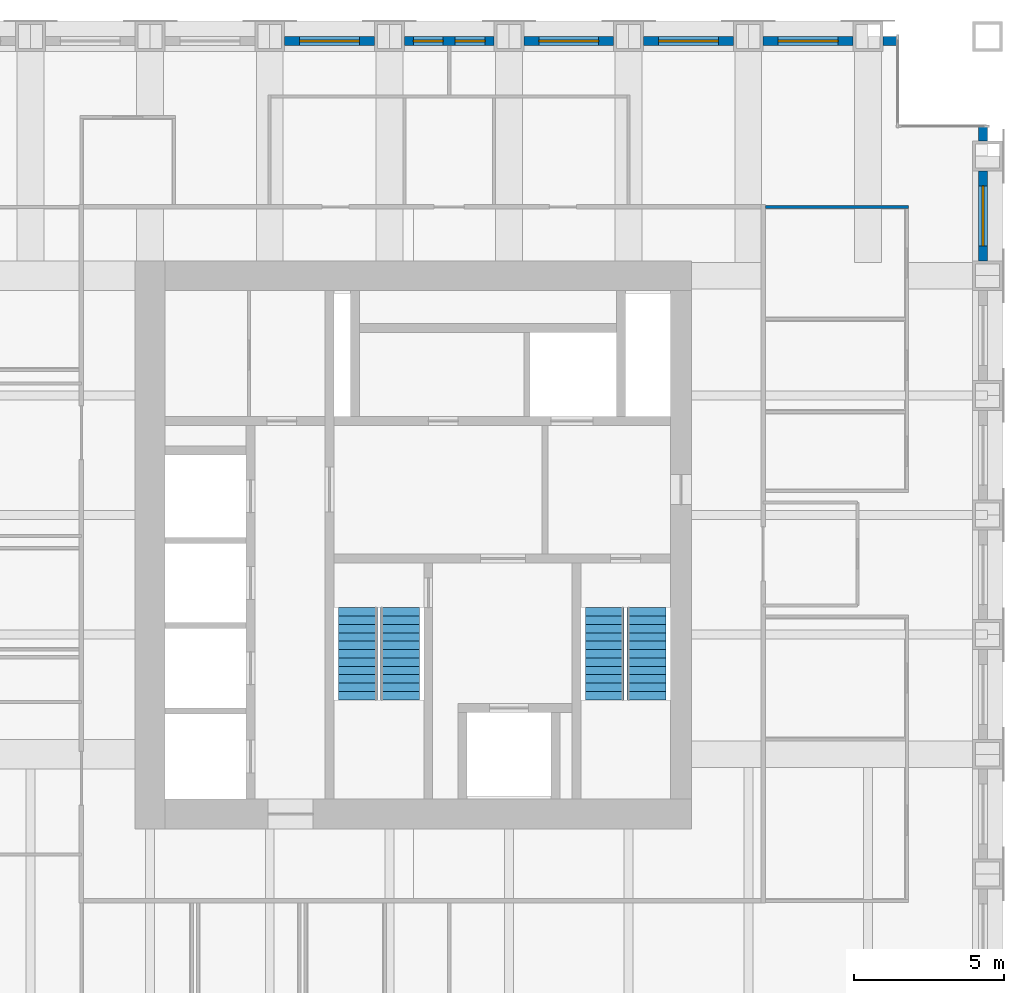
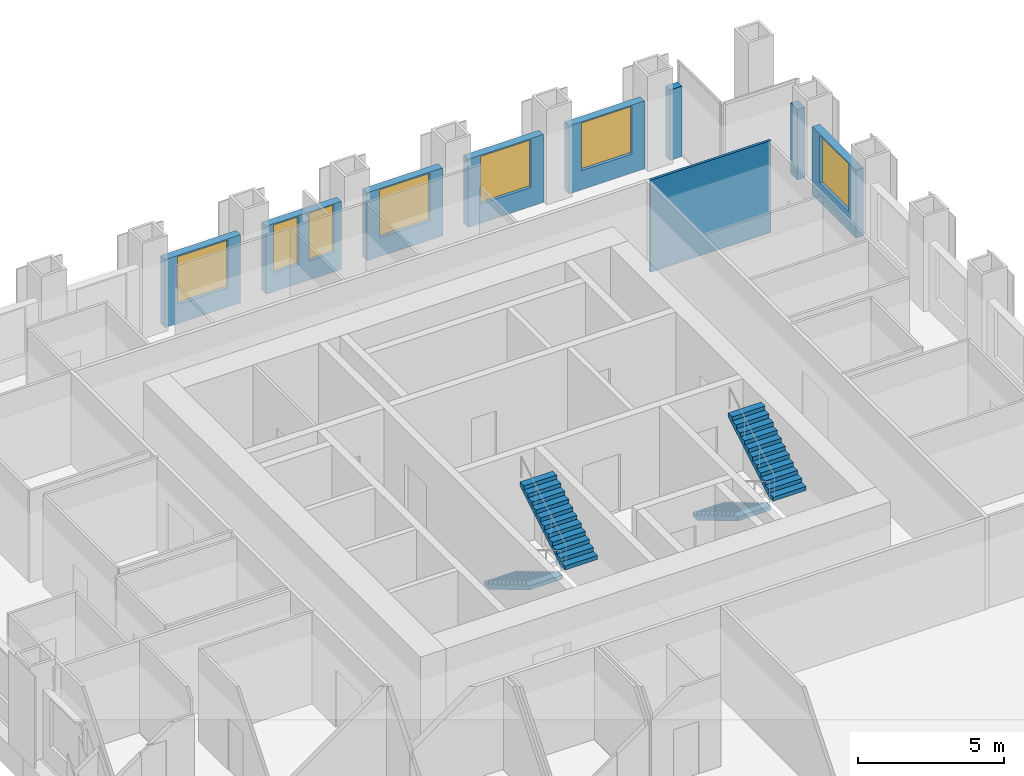
# One storey, part 11 of 13: 9 walls, 7 windows, 4 stair flights, 7 openings, 2 elements without a shape of their own.
"""IFC4 building model written with IfcOpenShell, lengths in metres."""

from ifc_helpers import new_model, si_unit, direction, frame, frame_2d, origin, place, context, subcontext, project, spatial, polyline, rectangle, outline, extrude, material, layer, layer_set, type_object, element, fill, aggregate, save


model = new_model("IFC4")

# Units and contexts
model_context = context("Model", 3, precision=1e-05, world=origin(), true_north=direction((0.0, 1.0)))
body_context = subcontext(model_context, "Body", "Model", "MODEL_VIEW")
ifc_project = project(units=[si_unit("LENGTHUNIT", "METRE"), si_unit("AREAUNIT", "SQUARE_METRE"), si_unit("VOLUMEUNIT", "CUBIC_METRE"), si_unit("PLANEANGLEUNIT", "RADIAN"), si_unit("MASSUNIT", "GRAM", prefix="KILO")], contexts=[model_context])

# Site, building, storey
site_placement = place(None, origin())
site = spatial("IfcSite", under=ifc_project, at=site_placement, CompositionType="ELEMENT")
building_placement = place(site_placement, origin())
building = spatial("IfcBuilding", under=site, at=building_placement, Name="Rimbunsela Tower", CompositionType="ELEMENT")
storey_placement = place(building_placement, frame((0.0, 0.0, 290.199951171875)))
storey = spatial("IfcBuildingStorey", under=building, at=storey_placement, Name="L70", CompositionType="ELEMENT", Elevation=290.199951171875)

# Wall
ifc_material_1 = material(Name="Gypsum board on steel studs", Category="steel")
ifc_layer_1 = layer(ifc_material_1, 0.10009765625)
ifc_layer_set_1 = layer_set([ifc_layer_1], Name="Office partition 100")
wall_type_1 = type_object("IfcWallType", Name="Office partition 100", PredefinedType="PARTITIONING", material=ifc_layer_set_1)
wall_1_placement = place(storey_placement, frame((38.574951171875, 38.300048828125, 0.0), z_axis=(0.0, 0.0, 1.0), x_axis=(1.0, 0.0, 0.0)))
element("IfcWall", 1, at=wall_1_placement, inside=storey, type_object=wall_type_1, Name="Office partition", PredefinedType="PARTITIONING", context=body_context, shape_type="SweptSolid", body=[
    extrude(rectangle(XDim=4.775146484375, YDim=0.10009765625, at=frame_2d((2.3876953125, 0.0))), origin(), (0.0, 0.0, 1.0), 3.85009765625),
])

# Wall, opening, window
ifc_material_2 = material(Name="Precast concrete fc' 35 MPa", Category="concrete")
ifc_layer_2 = layer(ifc_material_2, 0.300048828125)
ifc_layer_set_2 = layer_set([ifc_layer_2], Name="Precast concrete fc' 35 MPa")
wall_type_2 = type_object("IfcWallType", Name="Precast facade panel 300", PredefinedType="ELEMENTEDWALL", material=ifc_layer_set_2)
wall_2_placement = place(storey_placement, frame((45.85009765625, 36.5, 0.0), z_axis=(0.0, 0.0, 1.0), x_axis=(0.0, 1.0, 0.0)))
wall_2 = element("IfcWall", 2, at=wall_2_placement, inside=storey, type_object=wall_type_2, Name="Facade panel E L70", PredefinedType="ELEMENTEDWALL", context=body_context, shape_type="SweptSolid", body=[
    extrude(rectangle(XDim=3.0, YDim=0.300048828125, at=frame_2d((1.5, 0.0))), origin(), (0.0, 0.0, 1.0), 2.85009765625),
])
opening_1_placement = place(wall_2_placement, frame((0.5, 0.0, 0.800048828125)))
opening_1 = element("IfcOpeningElement", 3, at=opening_1_placement, cuts=wall_2, Name="Opening W1", PredefinedType="OPENING", context=body_context, shape_type="SweptSolid", body=[
    extrude(rectangle(XDim=2.0, YDim=2.0, at=frame_2d((1.0, 1.0))), frame((0.0, 0.159912109375, 0.0), z_axis=(0.0, -1.0, 0.0), x_axis=(1.0, 0.0, 0.0)), (0.0, 0.0, 1.0), 0.320068359375),
])
ifc_material_3 = material(Name="Clear glass in aluminium frame", Category="aluminium")
window_type_1 = type_object("IfcWindowType", Name="Window W1 2000x2000", PartitioningType="DOUBLE_PANEL_VERTICAL", PredefinedType="WINDOW", material=ifc_material_3)
window_1_placement = place(opening_1_placement, origin())
window_1 = element("IfcWindow", 4, at=window_1_placement, inside=storey, type_object=window_type_1, Name="Window L70", OverallHeight=2.0, OverallWidth=2.0, PartitioningType="SINGLE_PANEL", PredefinedType="WINDOW", context=body_context, shape_type="SweptSolid", body=[
    extrude(rectangle(XDim=2.0, YDim=2.0, at=frame_2d((1.0, 1.0))), frame((0.0, 0.030029296875, 0.0), z_axis=(0.0, -1.0, 0.0), x_axis=(1.0, 0.0, 0.0)), (0.0, 0.0, 1.0), 0.06005859375),
])
fill(opening_1, window_1)

# Wall
wall_3_placement = place(storey_placement, frame((45.85009765625, 40.5, 0.0), z_axis=(0.0, 0.0, 1.0), x_axis=(0.0, 1.0, 0.0)))
element("IfcWall", 5, at=wall_3_placement, inside=storey, type_object=wall_type_2, Name="Facade panel E L70", PredefinedType="ELEMENTEDWALL", context=body_context, shape_type="SweptSolid", body=[
    extrude(rectangle(XDim=0.469970703125, YDim=0.300048828125, at=frame_2d((0.23486328125, 0.0))), origin(), (0.0, 0.0, 1.0), 2.949951171875),
])

# Wall, opening, window
wall_4_placement = place(storey_placement, frame((25.5, 43.85009765625, 0.0), z_axis=(0.0, 0.0, 1.0), x_axis=(-1.0, 0.0, 0.0)))
wall_4 = element("IfcWall", 6, at=wall_4_placement, inside=storey, type_object=wall_type_2, Name="Facade panel N L70", PredefinedType="ELEMENTEDWALL", context=body_context, shape_type="SweptSolid", body=[
    extrude(rectangle(XDim=3.0, YDim=0.300048828125, at=frame_2d((1.5, 0.0))), origin(), (0.0, 0.0, 1.0), 2.85009765625),
])
opening_2_placement = place(wall_4_placement, frame((0.5, 0.0, 0.800048828125)))
opening_2 = element("IfcOpeningElement", 7, at=opening_2_placement, cuts=wall_4, Name="Opening W1", PredefinedType="OPENING", context=body_context, shape_type="SweptSolid", body=[
    extrude(rectangle(XDim=2.0, YDim=2.0, at=frame_2d((1.0, 1.0))), frame((0.0, 0.159912109375, 0.0), z_axis=(0.0, -1.0, 0.0), x_axis=(1.0, 0.0, 0.0)), (0.0, 0.0, 1.0), 0.320068359375),
])
window_2_placement = place(opening_2_placement, origin())
window_2 = element("IfcWindow", 8, at=window_2_placement, inside=storey, type_object=window_type_1, Name="Window L70", OverallHeight=2.0, OverallWidth=2.0, PartitioningType="SINGLE_PANEL", PredefinedType="WINDOW", context=body_context, shape_type="SweptSolid", body=[
    extrude(rectangle(XDim=2.0, YDim=2.0, at=frame_2d((1.0, 1.0))), frame((0.0, 0.030029296875, 0.0), z_axis=(0.0, -1.0, 0.0), x_axis=(1.0, 0.0, 0.0)), (0.0, 0.0, 1.0), 0.06005859375),
])
fill(opening_2, window_2)

# Wall, openings, windows
wall_5_placement = place(storey_placement, frame((29.5, 43.85009765625, 0.0), z_axis=(0.0, 0.0, 1.0), x_axis=(-1.0, 0.0, 0.0)))
wall_5 = element("IfcWall", 9, at=wall_5_placement, inside=storey, type_object=wall_type_2, Name="Facade panel N L70", PredefinedType="ELEMENTEDWALL", context=body_context, shape_type="SweptSolid", body=[
    extrude(rectangle(XDim=3.0, YDim=0.300048828125, at=frame_2d((1.5, 0.0))), origin(), (0.0, 0.0, 1.0), 2.85009765625),
])
opening_3_placement = place(wall_5_placement, frame((1.699951171875, 0.0, 0.800048828125)))
opening_3 = element("IfcOpeningElement", 10, at=opening_3_placement, cuts=wall_5, Name="Opening W5", PredefinedType="OPENING", context=body_context, shape_type="SweptSolid", body=[
    extrude(rectangle(XDim=1.0, YDim=2.0, at=frame_2d((0.5, 1.0))), frame((0.0, 0.159912109375, 0.0), z_axis=(0.0, -1.0, 0.0), x_axis=(1.0, 0.0, 0.0)), (0.0, 0.0, 1.0), 0.320068359375),
])
opening_4_placement = place(wall_5_placement, frame((0.300048828125, 0.0, 0.800048828125)))
opening_4 = element("IfcOpeningElement", 11, at=opening_4_placement, cuts=wall_5, Name="Opening W5", PredefinedType="OPENING", context=body_context, shape_type="SweptSolid", body=[
    extrude(rectangle(XDim=1.0, YDim=2.0, at=frame_2d((0.5, 1.0))), frame((0.0, 0.159912109375, 0.0), z_axis=(0.0, -1.0, 0.0), x_axis=(1.0, 0.0, 0.0)), (0.0, 0.0, 1.0), 0.320068359375),
])
ifc_material_4 = material(Name="Clear glass in aluminium frame", Category="aluminium")
window_type_2 = type_object("IfcWindowType", Name="Window W5 1000x2000", PartitioningType="SINGLE_PANEL", PredefinedType="WINDOW", material=ifc_material_4)
window_3_placement = place(opening_3_placement, origin())
window_3 = element("IfcWindow", 12, at=window_3_placement, inside=storey, type_object=window_type_2, Name="Window L70", OverallHeight=2.0, OverallWidth=1.0, PartitioningType="SINGLE_PANEL", PredefinedType="WINDOW", context=body_context, shape_type="SweptSolid", body=[
    extrude(rectangle(XDim=1.0, YDim=2.0, at=frame_2d((0.5, 1.0))), frame((0.0, 0.030029296875, 0.0), z_axis=(0.0, -1.0, 0.0), x_axis=(1.0, 0.0, 0.0)), (0.0, 0.0, 1.0), 0.06005859375),
])
fill(opening_3, window_3)
window_4_placement = place(opening_4_placement, origin())
window_4 = element("IfcWindow", 13, at=window_4_placement, inside=storey, type_object=window_type_2, Name="Window L70", OverallHeight=2.0, OverallWidth=1.0, PartitioningType="SINGLE_PANEL", PredefinedType="WINDOW", context=body_context, shape_type="SweptSolid", body=[
    extrude(rectangle(XDim=1.0, YDim=2.0, at=frame_2d((0.5, 1.0))), frame((0.0, 0.030029296875, 0.0), z_axis=(0.0, -1.0, 0.0), x_axis=(1.0, 0.0, 0.0)), (0.0, 0.0, 1.0), 0.06005859375),
])
fill(opening_4, window_4)

# Wall, opening, window
wall_6_placement = place(storey_placement, frame((33.5, 43.85009765625, 0.0), z_axis=(0.0, 0.0, 1.0), x_axis=(-1.0, 0.0, 0.0)))
wall_6 = element("IfcWall", 14, at=wall_6_placement, inside=storey, type_object=wall_type_2, Name="Facade panel N L70", PredefinedType="ELEMENTEDWALL", context=body_context, shape_type="SweptSolid", body=[
    extrude(rectangle(XDim=3.0, YDim=0.300048828125, at=frame_2d((1.5, 0.0))), origin(), (0.0, 0.0, 1.0), 2.85009765625),
])
opening_5_placement = place(wall_6_placement, frame((0.5, 0.0, 0.800048828125)))
opening_5 = element("IfcOpeningElement", 15, at=opening_5_placement, cuts=wall_6, Name="Opening W1", PredefinedType="OPENING", context=body_context, shape_type="SweptSolid", body=[
    extrude(rectangle(XDim=2.0, YDim=2.0, at=frame_2d((1.0, 1.0))), frame((0.0, 0.159912109375, 0.0), z_axis=(0.0, -1.0, 0.0), x_axis=(1.0, 0.0, 0.0)), (0.0, 0.0, 1.0), 0.320068359375),
])
window_5_placement = place(opening_5_placement, origin())
window_5 = element("IfcWindow", 16, at=window_5_placement, inside=storey, type_object=window_type_1, Name="Window L70", OverallHeight=2.0, OverallWidth=2.0, PartitioningType="SINGLE_PANEL", PredefinedType="WINDOW", context=body_context, shape_type="SweptSolid", body=[
    extrude(rectangle(XDim=2.0, YDim=2.0, at=frame_2d((1.0, 1.0))), frame((0.0, 0.030029296875, 0.0), z_axis=(0.0, -1.0, 0.0), x_axis=(1.0, 0.0, 0.0)), (0.0, 0.0, 1.0), 0.06005859375),
])
fill(opening_5, window_5)

wall_7_placement = place(storey_placement, frame((37.5, 43.85009765625, 0.0), z_axis=(0.0, 0.0, 1.0), x_axis=(-1.0, 0.0, 0.0)))
wall_7 = element("IfcWall", 17, at=wall_7_placement, inside=storey, type_object=wall_type_2, Name="Facade panel N L70", PredefinedType="ELEMENTEDWALL", context=body_context, shape_type="SweptSolid", body=[
    extrude(rectangle(XDim=3.0, YDim=0.300048828125, at=frame_2d((1.5, 0.0))), origin(), (0.0, 0.0, 1.0), 2.85009765625),
])
opening_6_placement = place(wall_7_placement, frame((0.5, 0.0, 0.800048828125)))
opening_6 = element("IfcOpeningElement", 18, at=opening_6_placement, cuts=wall_7, Name="Opening W1", PredefinedType="OPENING", context=body_context, shape_type="SweptSolid", body=[
    extrude(rectangle(XDim=2.0, YDim=2.0, at=frame_2d((1.0, 1.0))), frame((0.0, 0.159912109375, 0.0), z_axis=(0.0, -1.0, 0.0), x_axis=(1.0, 0.0, 0.0)), (0.0, 0.0, 1.0), 0.320068359375),
])
window_6_placement = place(opening_6_placement, origin())
window_6 = element("IfcWindow", 19, at=window_6_placement, inside=storey, type_object=window_type_1, Name="Window L70", OverallHeight=2.0, OverallWidth=2.0, PartitioningType="SINGLE_PANEL", PredefinedType="WINDOW", context=body_context, shape_type="SweptSolid", body=[
    extrude(rectangle(XDim=2.0, YDim=2.0, at=frame_2d((1.0, 1.0))), frame((0.0, 0.030029296875, 0.0), z_axis=(0.0, -1.0, 0.0), x_axis=(1.0, 0.0, 0.0)), (0.0, 0.0, 1.0), 0.06005859375),
])
fill(opening_6, window_6)

wall_8_placement = place(storey_placement, frame((41.5, 43.85009765625, 0.0), z_axis=(0.0, 0.0, 1.0), x_axis=(-1.0, 0.0, 0.0)))
wall_8 = element("IfcWall", 20, at=wall_8_placement, inside=storey, type_object=wall_type_2, Name="Facade panel N L70", PredefinedType="ELEMENTEDWALL", context=body_context, shape_type="SweptSolid", body=[
    extrude(rectangle(XDim=3.0, YDim=0.300048828125, at=frame_2d((1.5, 0.0))), origin(), (0.0, 0.0, 1.0), 2.85009765625),
])
opening_7_placement = place(wall_8_placement, frame((0.5, 0.0, 0.800048828125)))
opening_7 = element("IfcOpeningElement", 21, at=opening_7_placement, cuts=wall_8, Name="Opening W1", PredefinedType="OPENING", context=body_context, shape_type="SweptSolid", body=[
    extrude(rectangle(XDim=2.0, YDim=2.0, at=frame_2d((1.0, 1.0))), frame((0.0, 0.159912109375, 0.0), z_axis=(0.0, -1.0, 0.0), x_axis=(1.0, 0.0, 0.0)), (0.0, 0.0, 1.0), 0.320068359375),
])
window_7_placement = place(opening_7_placement, origin())
window_7 = element("IfcWindow", 22, at=window_7_placement, inside=storey, type_object=window_type_1, Name="Window L70", OverallHeight=2.0, OverallWidth=2.0, PartitioningType="SINGLE_PANEL", PredefinedType="WINDOW", context=body_context, shape_type="SweptSolid", body=[
    extrude(rectangle(XDim=2.0, YDim=2.0, at=frame_2d((1.0, 1.0))), frame((0.0, 0.030029296875, 0.0), z_axis=(0.0, -1.0, 0.0), x_axis=(1.0, 0.0, 0.0)), (0.0, 0.0, 1.0), 0.06005859375),
])
fill(opening_7, window_7)

# Wall
wall_9_placement = place(storey_placement, frame((42.969970703125, 43.85009765625, 0.0), z_axis=(0.0, 0.0, 1.0), x_axis=(-1.0, 0.0, 0.0)))
element("IfcWall", 23, at=wall_9_placement, inside=storey, type_object=wall_type_2, Name="Facade panel N L70", PredefinedType="ELEMENTEDWALL", context=body_context, shape_type="SweptSolid", body=[
    extrude(rectangle(XDim=0.469970703125, YDim=0.300048828125, at=frame_2d((0.23486328125, 0.0))), origin(), (0.0, 0.0, 1.0), 2.949951171875),
])

# Stair, stair flights
ifc_material_5 = material(Name="Concrete fc' 35 MPa", Category="concrete")
stair_type = type_object("IfcStairType", Name="Exit stair 24 risers", PredefinedType="HALF_TURN_STAIR", material=ifc_material_5)
stair_1_placement = place(storey_placement, origin())
stair_1 = element("IfcStair", 24, at=stair_1_placement, inside=storey, type_object=stair_type, Name="Exit stair A L70", PredefinedType="HALF_TURN_STAIR")
ifc_material_6 = material(Name="Concrete fc' 35 MPa", Category="concrete")
stair_flight_type = type_object("IfcStairFlightType", Name="Stair flight 12 risers 167", PredefinedType="STRAIGHT", material=ifc_material_6)
stair_flight_1_placement = place(storey_placement, frame((24.949951171875, 24.89990234375, 0.0), z_axis=(0.0, 0.0, 1.0), x_axis=(0.0, -1.0, 0.0)))
stair_flight_1 = element("IfcStairFlight", 25, at=stair_flight_1_placement, type_object=stair_flight_type, Name="ST-A flight 1", NumberOfRisers=12, NumberOfTreads=11, PredefinedType="STRAIGHT", RiserHeight=0.166666667, TreadLength=0.28, context=body_context, shape_type="SweptSolid", body=[
    extrude(outline(polyline([(0.0, 0.0), (0.0, 0.166748046875), (0.280029296875, 0.166748046875), (0.280029296875, 0.333251953125), (0.56005859375, 0.333251953125), (0.56005859375, 0.5), (0.840087890625, 0.5), (0.840087890625, 0.666748046875), (1.1201171875, 0.666748046875), (1.1201171875, 0.833251953125), (1.39990234375, 0.833251953125), (1.39990234375, 1.0), (1.679931640625, 1.0), (1.679931640625, 1.166748046875), (1.9599609375, 1.166748046875), (1.9599609375, 1.333251953125), (2.239990234375, 1.333251953125), (2.239990234375, 1.5), (2.52001953125, 1.5), (2.52001953125, 1.666748046875), (2.800048828125, 1.666748046875), (2.800048828125, 1.833251953125), (3.080078125, 1.833251953125), (3.080078125, 2.0), (3.080078125, 1.658935546875), (0.29296875, 0.0), (0.0, 0.0)])), frame((0.0, 0.64990234375, 0.0), z_axis=(0.0, -1.0, 0.0), x_axis=(1.0, 0.0, 0.0)), (0.0, 0.0, 1.0), 1.300048828125),
])
stair_flight_2_placement = place(storey_placement, frame((26.35009765625, 21.820068359375, 2.0), z_axis=(0.0, 0.0, 1.0), x_axis=(0.0, 1.0, 0.0)))
stair_flight_2 = element("IfcStairFlight", 26, at=stair_flight_2_placement, type_object=stair_flight_type, Name="ST-A flight 2", NumberOfRisers=12, NumberOfTreads=11, PredefinedType="STRAIGHT", RiserHeight=0.166666667, TreadLength=0.28, context=body_context, shape_type="SweptSolid", body=[
    extrude(outline(polyline([(0.0, 0.0), (0.0, 0.166748046875), (0.280029296875, 0.166748046875), (0.280029296875, 0.333251953125), (0.56005859375, 0.333251953125), (0.56005859375, 0.5), (0.840087890625, 0.5), (0.840087890625, 0.666748046875), (1.1201171875, 0.666748046875), (1.1201171875, 0.833251953125), (1.39990234375, 0.833251953125), (1.39990234375, 1.0), (1.679931640625, 1.0), (1.679931640625, 1.166748046875), (1.9599609375, 1.166748046875), (1.9599609375, 1.333251953125), (2.239990234375, 1.333251953125), (2.239990234375, 1.5), (2.52001953125, 1.5), (2.52001953125, 1.666748046875), (2.800048828125, 1.666748046875), (2.800048828125, 1.833251953125), (3.080078125, 1.833251953125), (3.080078125, 2.0), (3.080078125, 1.658935546875), (0.29296875, 0.0), (0.0, 0.0)])), frame((0.0, 0.64990234375, 0.0), z_axis=(0.0, -1.0, 0.0), x_axis=(1.0, 0.0, 0.0)), (0.0, 0.0, 1.0), 1.300048828125),
])
aggregate(stair_1, [stair_flight_1, stair_flight_2])

stair_2_placement = place(storey_placement, origin())
stair_2 = element("IfcStair", 27, at=stair_2_placement, inside=storey, type_object=stair_type, Name="Exit stair B L70", PredefinedType="HALF_TURN_STAIR")
stair_flight_3_placement = place(storey_placement, frame((33.199951171875, 24.89990234375, 0.0), z_axis=(0.0, 0.0, 1.0), x_axis=(0.0, -1.0, 0.0)))
stair_flight_3 = element("IfcStairFlight", 28, at=stair_flight_3_placement, type_object=stair_flight_type, Name="ST-B flight 1", NumberOfRisers=12, NumberOfTreads=11, PredefinedType="STRAIGHT", RiserHeight=0.166666667, TreadLength=0.28, context=body_context, shape_type="SweptSolid", body=[
    extrude(outline(polyline([(0.0, 0.0), (0.0, 0.166748046875), (0.280029296875, 0.166748046875), (0.280029296875, 0.333251953125), (0.56005859375, 0.333251953125), (0.56005859375, 0.5), (0.840087890625, 0.5), (0.840087890625, 0.666748046875), (1.1201171875, 0.666748046875), (1.1201171875, 0.833251953125), (1.39990234375, 0.833251953125), (1.39990234375, 1.0), (1.679931640625, 1.0), (1.679931640625, 1.166748046875), (1.9599609375, 1.166748046875), (1.9599609375, 1.333251953125), (2.239990234375, 1.333251953125), (2.239990234375, 1.5), (2.52001953125, 1.5), (2.52001953125, 1.666748046875), (2.800048828125, 1.666748046875), (2.800048828125, 1.833251953125), (3.080078125, 1.833251953125), (3.080078125, 2.0), (3.080078125, 1.658935546875), (0.29296875, 0.0), (0.0, 0.0)])), frame((0.0, 0.64990234375, 0.0), z_axis=(0.0, -1.0, 0.0), x_axis=(1.0, 0.0, 0.0)), (0.0, 0.0, 1.0), 1.300048828125),
])
stair_flight_4_placement = place(storey_placement, frame((34.60009765625, 21.820068359375, 2.0), z_axis=(0.0, 0.0, 1.0), x_axis=(0.0, 1.0, 0.0)))
stair_flight_4 = element("IfcStairFlight", 29, at=stair_flight_4_placement, type_object=stair_flight_type, Name="ST-B flight 2", NumberOfRisers=12, NumberOfTreads=11, PredefinedType="STRAIGHT", RiserHeight=0.166666667, TreadLength=0.28, context=body_context, shape_type="SweptSolid", body=[
    extrude(outline(polyline([(0.0, 0.0), (0.0, 0.166748046875), (0.280029296875, 0.166748046875), (0.280029296875, 0.333251953125), (0.56005859375, 0.333251953125), (0.56005859375, 0.5), (0.840087890625, 0.5), (0.840087890625, 0.666748046875), (1.1201171875, 0.666748046875), (1.1201171875, 0.833251953125), (1.39990234375, 0.833251953125), (1.39990234375, 1.0), (1.679931640625, 1.0), (1.679931640625, 1.166748046875), (1.9599609375, 1.166748046875), (1.9599609375, 1.333251953125), (2.239990234375, 1.333251953125), (2.239990234375, 1.5), (2.52001953125, 1.5), (2.52001953125, 1.666748046875), (2.800048828125, 1.666748046875), (2.800048828125, 1.833251953125), (3.080078125, 1.833251953125), (3.080078125, 2.0), (3.080078125, 1.658935546875), (0.29296875, 0.0), (0.0, 0.0)])), frame((0.0, 0.64990234375, 0.0), z_axis=(0.0, -1.0, 0.0), x_axis=(1.0, 0.0, 0.0)), (0.0, 0.0, 1.0), 1.300048828125),
])
aggregate(stair_2, [stair_flight_3, stair_flight_4])

save(model, "model.ifc")
